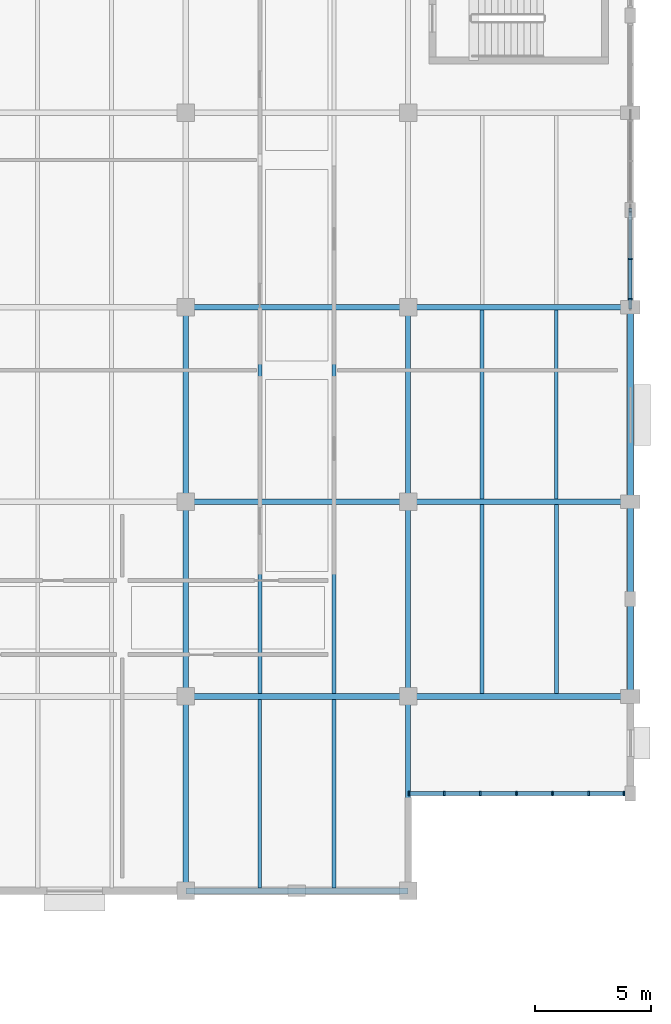
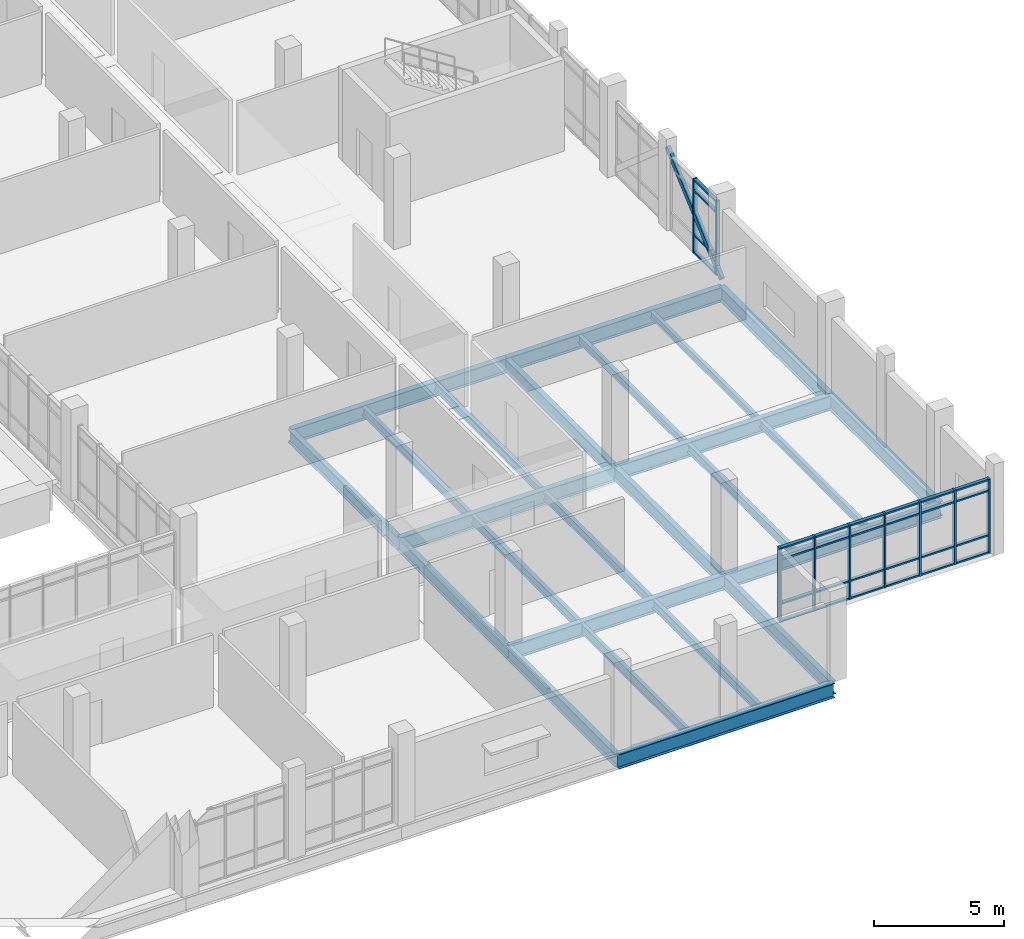
# One storey, part 29 of 86: 38 members, 25 beams, 2 elements without a shape of their own.
"""IFC4 building model written with IfcOpenShell, lengths in metres."""

import ifcopenshell
import ifcopenshell.guid

model = None  # the IFC model being written
_history = None  # IfcOwnerHistory: only IFC2X3 demands one
_inside = {}  # id of a spatial element -> (the spatial element, [elements in it])
_under = {}  # id of a project, library or spatial element -> (it, [spatial elements below it])
_declared = {}  # id of a project -> (the project, [libraries it declares])
_typed = {}  # id of a type object -> (the type object, [elements of that type])
_made_of = {}  # id of a material, layer set ... -> (it, [elements and type objects made of it])


def new_model(schema):
    """Start an empty IFC model of exactly this schema.

    Asked for "IFC4X3", IfcOpenShell would pick the latest addendum, in which some entities
    have other attributes; the version numbers below select the first issue.
    IFC2X3 requires an IfcOwnerHistory on every rooted entity: one is made here for all.
    """
    global model, _history
    if schema == "IFC4X3":
        model = ifcopenshell.file(schema_version=(4, 3, 0, 0))
    else:
        model = ifcopenshell.file(schema=schema)
    _inside.clear()
    _under.clear()
    _declared.clear()
    _typed.clear()
    _made_of.clear()
    _history = None
    if model.schema == "IFC2X3":
        org = make("IfcOrganization", Name="unknown")
        user = make(
            "IfcPersonAndOrganization",
            ThePerson=make("IfcPerson", FamilyName="unknown"),
            TheOrganization=org,
        )
        app = make(
            "IfcApplication",
            ApplicationDeveloper=org,
            Version="unknown",
            ApplicationFullName="unknown",
            ApplicationIdentifier="unknown",
        )
        _history = make(
            "IfcOwnerHistory",
            OwningUser=user,
            OwningApplication=app,
            ChangeAction="ADDED",
            CreationDate=0,
        )
    return model


def make(cls, **values):
    """One entity of the class cls with the attributes given. An attribute that is None is left unset."""
    return model.create_entity(
        cls, **{name: value for name, value in values.items() if value is not None}
    )


def rooted(cls, **values):
    """An entity with a GlobalId (a new one), such as an element, a storey or a relation."""
    return make(cls, GlobalId=ifcopenshell.guid.new(), OwnerHistory=_history, **values)


def si_unit(unit_type, name, prefix=None):
    """IfcSIUnit, for example si_unit("LENGTHUNIT", "METRE", prefix="MILLI")."""
    return make("IfcSIUnit", UnitType=unit_type, Prefix=prefix, Name=name)


def assignment(units):
    """IfcUnitAssignment: the units of a project."""
    return None if units is None else make("IfcUnitAssignment", Units=units)


def point(xyz):
    """IfcCartesianPoint."""
    return None if xyz is None else make("IfcCartesianPoint", Coordinates=xyz)


def direction(xyz):
    """IfcDirection."""
    return None if xyz is None else make("IfcDirection", DirectionRatios=xyz)


def frame(location, z_axis=None, x_axis=None):
    """IfcAxis2Placement3D, a coordinate frame: its origin and axes. An axis left out is left unset."""
    return make(
        "IfcAxis2Placement3D",
        Location=point(location),
        Axis=direction(z_axis),
        RefDirection=direction(x_axis),
    )


def frame_2d(location, x_axis=None):
    """IfcAxis2Placement2D, a coordinate frame in the plane: its origin and x axis."""
    return make(
        "IfcAxis2Placement2D", Location=point(location), RefDirection=direction(x_axis)
    )


def origin():
    """The frame at (0, 0, 0) with its axes left unset."""
    return frame((0.0, 0.0, 0.0))


def origin_2d():
    """The frame at (0, 0) in the plane with its x axis left unset."""
    return frame_2d((0.0, 0.0))


def place(relative_to, where):
    """IfcLocalPlacement: puts the frame where relative to a parent placement (None: the world)."""
    return make(
        "IfcLocalPlacement", PlacementRelTo=relative_to, RelativePlacement=where
    )


def context(
    kind, dimensions, precision=None, world=None, true_north=None, identifier=None
):
    """IfcGeometricRepresentationContext, for example the 3D "Model" context."""
    return make(
        "IfcGeometricRepresentationContext",
        ContextIdentifier=identifier,
        ContextType=kind,
        CoordinateSpaceDimension=dimensions,
        Precision=precision,
        WorldCoordinateSystem=world,
        TrueNorth=true_north,
    )


def subcontext(parent, identifier, kind, view, scale=None):
    """IfcGeometricRepresentationSubContext, for example "Body" below "Model"."""
    return make(
        "IfcGeometricRepresentationSubContext",
        ContextIdentifier=identifier,
        ContextType=kind,
        ParentContext=parent,
        TargetScale=scale,
        TargetView=view,
    )


def project(units=None, contexts=None):
    """IfcProject with its units and contexts."""
    return rooted(
        "IfcProject",
        Name="project",
        RepresentationContexts=contexts,
        UnitsInContext=assignment(units),
    )


def spatial(cls, under=None, at=None, **own):
    """A site, building, storey or space (cls), placed at a placement, below another one or the project."""
    s = rooted(cls, ObjectPlacement=at, **own)
    if under is not None:
        _under.setdefault(under.id(), (under, []))[1].append(s)
    return s


def profile(cls, at=None, kind="AREA", **sizes):
    """A parametric profile (cls). Its sizes go by their IFC names, for example OverallWidth=200.0."""
    return make(cls, ProfileType=kind, Position=at, **sizes)


def rectangle(**sizes):
    """IfcRectangleProfileDef."""
    return profile("IfcRectangleProfileDef", **sizes)


def hollow_rectangle(**sizes):
    """IfcRectangleHollowProfileDef."""
    return profile("IfcRectangleHollowProfileDef", **sizes)


def i_section(**sizes):
    """IfcIShapeProfileDef."""
    return profile("IfcIShapeProfileDef", **sizes)


def extrude(swept, where, along, depth):
    """IfcExtrudedAreaSolid: the profile swept, set in the frame where, extruded along a direction by depth."""
    return make(
        "IfcExtrudedAreaSolid",
        SweptArea=swept,
        Position=where,
        ExtrudedDirection=direction(along),
        Depth=depth,
    )


def shape(context_of_items, identifier, shape_type, items):
    """IfcShapeRepresentation: the items that make up one representation, for example the "Body"."""
    return make(
        "IfcShapeRepresentation",
        ContextOfItems=context_of_items,
        RepresentationIdentifier=identifier,
        RepresentationType=shape_type,
        Items=items,
    )


def material(Name=None, Category=None):
    """IfcMaterial."""
    return make("IfcMaterial", Name=Name, Category=Category)


def material_profile(
    of_material, cross_section, Name=None, Category=None, Priority=None
):
    """IfcMaterialProfile: a cross section and its material."""
    return make(
        "IfcMaterialProfile",
        Name=Name,
        Material=of_material,
        Profile=cross_section,
        Priority=Priority,
        Category=Category,
    )


def profile_set(profiles, Name=None, composite=None):
    """IfcMaterialProfileSet."""
    return make(
        "IfcMaterialProfileSet",
        Name=Name,
        MaterialProfiles=profiles,
        CompositeProfile=composite,
    )


def made_of(thing, what):
    """Note that an element or type object is made of a material, layer set ...; save() writes the relation."""
    if what is not None:
        _made_of.setdefault(what.id(), (what, []))[1].append(thing)
    return thing


def type_object(cls, material=None, **own):
    """A type object (cls), such as IfcWallType, which elements share."""
    return made_of(rooted(cls, **own), material)


def element(
    cls,
    number,
    at=None,
    inside=None,
    cuts=None,
    type_object=None,
    material=None,
    context=None,
    identifier="Body",
    shape_type=None,
    held_by="IfcProductDefinitionShape",
    body=None,
    shapes=None,
    **own,
):
    """One element of the class cls, such as IfcWall. Its Tag is "e" and its number.

    at: its placement. inside: the storey or other place that contains it. cuts: it is an
    opening in that element (IfcRelVoidsElement). A single representation is given by context,
    identifier, shape_type and body (its items); several are given by shapes. held_by: the class
    of the entity that holds the representations. save() writes the other relations.
    """
    e = rooted(cls, Tag="e%d" % number, ObjectPlacement=at, **own)
    if body is not None:
        shapes = [shape(context, identifier, shape_type, body)]
    if shapes is not None:
        e.Representation = make(held_by, Representations=shapes)
    if inside is not None:
        _inside.setdefault(inside.id(), (inside, []))[1].append(e)
    if cuts is not None:
        rooted(
            "IfcRelVoidsElement", RelatingBuildingElement=cuts, RelatedOpeningElement=e
        )
    if type_object is not None:
        _typed.setdefault(type_object.id(), (type_object, []))[1].append(e)
    return made_of(e, material)


def aggregate(whole, parts):
    """IfcRelAggregates: a whole, such as a stair, and the parts it consists of."""
    return rooted("IfcRelAggregates", RelatingObject=whole, RelatedObjects=parts)


def save(model, path):
    """Write the relations noted so far, then the file.

    IfcRelAggregates (storeys below a building ...), IfcRelContainedInSpatialStructure (elements
    in a storey), IfcRelDefinesByType, IfcRelAssociatesMaterial and IfcRelDeclares: one each for
    every whole, place, type object, material and project.
    """
    for whole, parts in _under.values():
        aggregate(whole, parts)
    for where, things in _inside.values():
        rooted(
            "IfcRelContainedInSpatialStructure",
            RelatedElements=things,
            RelatingStructure=where,
        )
    for kind, things in _typed.values():
        rooted("IfcRelDefinesByType", RelatedObjects=things, RelatingType=kind)
    for what, things in _made_of.values():
        rooted("IfcRelAssociatesMaterial", RelatedObjects=things, RelatingMaterial=what)
    for by, libraries in _declared.values():
        rooted("IfcRelDeclares", RelatingContext=by, RelatedDefinitions=libraries)
    model.write(path)


model = new_model("IFC4")

# Units and contexts
model_context = context("Model", 3, precision=1e-05, world=origin(), true_north=direction((0.0, 1.0)))
body_context = subcontext(model_context, "Body", "Model", "MODEL_VIEW")
ifc_project = project(units=[si_unit("LENGTHUNIT", "METRE"), si_unit("AREAUNIT", "SQUARE_METRE"), si_unit("VOLUMEUNIT", "CUBIC_METRE"), si_unit("PLANEANGLEUNIT", "RADIAN"), si_unit("MASSUNIT", "GRAM", prefix="KILO")], contexts=[model_context])

# Site, building, storey
site_placement = place(None, origin())
site = spatial("IfcSite", under=ifc_project, at=site_placement, CompositionType="ELEMENT")
building_placement = place(site_placement, origin())
building = spatial("IfcBuilding", under=site, at=building_placement, Name="Oolite Switchyard Hospital", CompositionType="ELEMENT")
storey_placement = place(building_placement, frame((0.0, 0.0, 13.5)))
storey = spatial("IfcBuildingStorey", under=building, at=storey_placement, Name="L03", CompositionType="ELEMENT", Elevation=13.5)

# Beams
ifc_material_1 = material(Name="Steel ASTM A992 Grade 50", Category="steel")
ifc_material_profile_1 = material_profile(ifc_material_1, i_section(OverallWidth=0.1650390625, OverallDepth=0.31005859375, WebThickness=0.006103515625, FlangeThickness=0.010009765625, at=origin_2d()), Name="W12X26")
ifc_profile_set_1 = profile_set([ifc_material_profile_1], Name="Steel ASTM A992 Grade 50")
beam_type_1 = type_object("IfcBeamType", Name="BM-W12X26", PredefinedType="JOIST", material=ifc_profile_set_1)
beam_1_placement = place(storey_placement, frame((208.0, 25.326904296875, -0.429931640625), z_axis=(0.0, 1.0, 0.0), x_axis=(-1.0, 0.0, 0.0)))
element("IfcBeam", 1, at=beam_1_placement, inside=storey, type_object=beam_type_1, Name="L03 Secondary Steel Joist 2741", PredefinedType="JOIST", context=body_context, shape_type="SweptSolid", body=[
    extrude(i_section(OverallWidth=0.1650390625, OverallDepth=0.31005859375, WebThickness=0.006103515625, FlangeThickness=0.010009765625, at=origin_2d()), origin(), (0.0, 0.0, 1.0), 8.14599609375),
])
ifc_material_profile_2 = material_profile(ifc_material_1, i_section(OverallWidth=0.1708984375, OverallDepth=0.35107421875, WebThickness=0.007080078125, FlangeThickness=0.010009765625, at=origin_2d()), Name="W14X30")
ifc_profile_set_2 = profile_set([ifc_material_profile_2], Name="Steel ASTM A992 Grade 50")
beam_type_2 = type_object("IfcBeamType", Name="BM-W14X30", PredefinedType="JOIST", material=ifc_profile_set_2)
for number, where, z_axis, x_axis, name in (
    (2, (198.39990234375, 25.326904296875, -0.449951171875), (0.0, 1.0, 0.0), (-1.0, 0.0, 0.0), "L03 Secondary Steel Joist 2721"),
    (3, (208.0, 16.927001953125, -0.449951171875), (0.0, 1.0, 0.0), (-1.0, 0.0, 0.0), "L03 Secondary Steel Joist 2739"),
    (4, (204.800048828125, 25.326904296875, -0.449951171875), (0.0, 1.0, 0.0), (-1.0, 0.0, 0.0), "L03 Secondary Steel Joist 2740"),
):
    element("IfcBeam", number, at=place(storey_placement, frame(where, z_axis=z_axis, x_axis=x_axis)), inside=storey, type_object=beam_type_2, Name=name, PredefinedType="JOIST", context=body_context, shape_type="SweptSolid", body=[
        extrude(i_section(OverallWidth=0.1708984375, OverallDepth=0.35107421875, WebThickness=0.007080078125, FlangeThickness=0.010009765625, at=origin_2d()), origin(), (0.0, 0.0, 1.0), 8.14599609375),
    ])
ifc_material_profile_3 = material_profile(ifc_material_1, i_section(OverallWidth=0.177978515625, OverallDepth=0.403076171875, WebThickness=0.008056640625, FlangeThickness=0.010986328125, at=origin_2d()), Name="W16X36")
ifc_profile_set_3 = profile_set([ifc_material_profile_3], Name="Steel ASTM A992 Grade 50")
beam_type_3 = type_object("IfcBeamType", Name="BM-W16X36", PredefinedType="JOIST", material=ifc_profile_set_3)
for number, where, z_axis, x_axis, name in (
    (5, (198.39990234375, 16.927001953125, -0.47607421875), (0.0, 1.0, 0.0), (-1.0, 0.0, 0.0), "L03 Secondary Steel Joist 2719"),
    (6, (195.199951171875, 25.326904296875, -0.47607421875), (0.0, 1.0, 0.0), (-1.0, 0.0, 0.0), "L03 Secondary Steel Joist 2720"),
    (7, (204.800048828125, 16.927001953125, -0.47607421875), (0.0, 1.0, 0.0), (-1.0, 0.0, 0.0), "L03 Secondary Steel Joist 2738"),
):
    element("IfcBeam", number, at=place(storey_placement, frame(where, z_axis=z_axis, x_axis=x_axis)), inside=storey, type_object=beam_type_3, Name=name, PredefinedType="JOIST", context=body_context, shape_type="SweptSolid", body=[
        extrude(i_section(OverallWidth=0.177978515625, OverallDepth=0.403076171875, WebThickness=0.008056640625, FlangeThickness=0.010986328125, at=origin_2d()), origin(), (0.0, 0.0, 1.0), 8.14599609375),
    ])
ifc_material_profile_4 = material_profile(ifc_material_1, i_section(OverallWidth=0.179931640625, OverallDepth=0.4130859375, WebThickness=0.010009765625, FlangeThickness=0.01611328125, at=origin_2d()), Name="W16X50")
ifc_profile_set_4 = profile_set([ifc_material_profile_4], Name="Steel ASTM A992 Grade 50")
beam_type_4 = type_object("IfcBeamType", Name="BM-W16X50", PredefinedType="JOIST", material=ifc_profile_set_4)
for number, where, z_axis, x_axis, name in (
    (8, (198.39990234375, 8.527099609375, -0.48193359375), (0.0, 1.0, 0.0), (-1.0, 0.0, 0.0), "L03 Secondary Steel Joist 2717"),
    (9, (195.199951171875, 16.927001953125, -0.48193359375), (0.0, 1.0, 0.0), (-1.0, 0.0, 0.0), "L03 Secondary Steel Joist 2718"),
):
    element("IfcBeam", number, at=place(storey_placement, frame(where, z_axis=z_axis, x_axis=x_axis)), inside=storey, type_object=beam_type_4, Name=name, PredefinedType="JOIST", context=body_context, shape_type="SweptSolid", body=[
        extrude(i_section(OverallWidth=0.179931640625, OverallDepth=0.4130859375, WebThickness=0.010009765625, FlangeThickness=0.01611328125, at=origin_2d()), origin(), (0.0, 0.0, 1.0), 8.14599609375),
    ])
ifc_material_profile_5 = material_profile(ifc_material_1, i_section(OverallWidth=0.153076171875, OverallDepth=0.455078125, WebThickness=0.008056640625, FlangeThickness=0.012939453125, at=origin_2d()), Name="W18X40")
ifc_profile_set_5 = profile_set([ifc_material_profile_5], Name="Steel ASTM A992 Grade 50")
beam_type_5 = type_object("IfcBeamType", Name="BM-W18X40", PredefinedType="JOIST", material=ifc_profile_set_5)
beam_2_placement = place(storey_placement, frame((195.199951171875, 8.527099609375, -0.501953125), z_axis=(0.0, 1.0, 0.0), x_axis=(-1.0, 0.0, 0.0)))
element("IfcBeam", 10, at=beam_2_placement, inside=storey, type_object=beam_type_5, Name="L03 Secondary Steel Joist 2716", PredefinedType="JOIST", context=body_context, shape_type="SweptSolid", body=[
    extrude(i_section(OverallWidth=0.153076171875, OverallDepth=0.455078125, WebThickness=0.008056640625, FlangeThickness=0.012939453125, at=origin_2d()), origin(), (0.0, 0.0, 1.0), 8.14599609375),
])
ifc_material_profile_6 = material_profile(ifc_material_1, i_section(OverallWidth=0.22900390625, OverallDepth=0.612060546875, WebThickness=0.011962890625, FlangeThickness=0.02001953125, at=origin_2d()), Name="W24X84")
ifc_profile_set_6 = profile_set([ifc_material_profile_6], Name="Steel ASTM A992 Grade 50")
beam_type_6 = type_object("IfcBeamType", Name="BM-W24X84", PredefinedType="BEAM", material=ifc_profile_set_6)
beam_3_placement = place(storey_placement, frame((192.0, 8.39990234375, -0.5810546875), z_axis=(0.0, 1.0, 0.0), x_axis=(-1.0, 0.0, 0.0)))
element("IfcBeam", 11, at=beam_3_placement, inside=storey, type_object=beam_type_6, Name="L03 Y-Girder 2360", PredefinedType="BEAM", context=body_context, shape_type="SweptSolid", body=[
    extrude(i_section(OverallWidth=0.22900390625, OverallDepth=0.612060546875, WebThickness=0.011962890625, FlangeThickness=0.02001953125, at=origin_2d()), origin(), (0.0, 0.0, 1.0), 8.400146484375),
])
beam_4_placement = place(storey_placement, frame((192.0, 16.800048828125, -0.5810546875), z_axis=(0.0, 1.0, 0.0), x_axis=(-1.0, 0.0, 0.0)))
element("IfcBeam", 12, at=beam_4_placement, inside=storey, type_object=beam_type_6, Name="L03 Y-Girder 2361", PredefinedType="BEAM", context=body_context, shape_type="SweptSolid", body=[
    extrude(i_section(OverallWidth=0.22900390625, OverallDepth=0.612060546875, WebThickness=0.011962890625, FlangeThickness=0.02001953125, at=origin_2d()), origin(), (0.0, 0.0, 1.0), 8.39990234375),
])
for number, where, z_axis, x_axis, name in (
    (13, (192.0, 25.199951171875, -0.5810546875), (0.0, 1.0, 0.0), (-1.0, 0.0, 0.0), "L03 Y-Girder 2362"),
    (14, (201.60009765625, 8.39990234375, -0.5810546875), (0.0, 1.0, 0.0), (-1.0, 0.0, 0.0), "L03 Y-Girder 2372"),
):
    element("IfcBeam", number, at=place(storey_placement, frame(where, z_axis=z_axis, x_axis=x_axis)), inside=storey, type_object=beam_type_6, Name=name, PredefinedType="BEAM", context=body_context, shape_type="SweptSolid", body=[
        extrude(i_section(OverallWidth=0.22900390625, OverallDepth=0.612060546875, WebThickness=0.011962890625, FlangeThickness=0.02001953125, at=origin_2d()), origin(), (0.0, 0.0, 1.0), 8.400146484375),
    ])
beam_5_placement = place(storey_placement, frame((201.60009765625, 16.800048828125, -0.5810546875), z_axis=(0.0, 1.0, 0.0), x_axis=(-1.0, 0.0, 0.0)))
element("IfcBeam", 15, at=beam_5_placement, inside=storey, type_object=beam_type_6, Name="L03 Y-Girder 2373", PredefinedType="BEAM", context=body_context, shape_type="SweptSolid", body=[
    extrude(i_section(OverallWidth=0.22900390625, OverallDepth=0.612060546875, WebThickness=0.011962890625, FlangeThickness=0.02001953125, at=origin_2d()), origin(), (0.0, 0.0, 1.0), 8.39990234375),
])
beam_6_placement = place(storey_placement, frame((201.60009765625, 25.199951171875, -0.5810546875), z_axis=(0.0, 1.0, 0.0), x_axis=(-1.0, 0.0, 0.0)))
element("IfcBeam", 16, at=beam_6_placement, inside=storey, type_object=beam_type_6, Name="L03 Y-Girder 2374", PredefinedType="BEAM", context=body_context, shape_type="SweptSolid", body=[
    extrude(i_section(OverallWidth=0.22900390625, OverallDepth=0.612060546875, WebThickness=0.011962890625, FlangeThickness=0.02001953125, at=origin_2d()), origin(), (0.0, 0.0, 1.0), 8.400146484375),
])
ifc_material_profile_7 = material_profile(ifc_material_1, i_section(OverallWidth=0.25390625, OverallDepth=0.68408203125, WebThickness=0.011962890625, FlangeThickness=0.01904296875, at=origin_2d()), Name="W27X94")
ifc_profile_set_7 = profile_set([ifc_material_profile_7], Name="Steel ASTM A992 Grade 50")
beam_type_7 = type_object("IfcBeamType", Name="BM-W27X94", PredefinedType="BEAM", material=ifc_profile_set_7)
for number, where, z_axis, x_axis, name in (
    (17, (192.0, 8.39990234375, -0.616943359375), (1.0, 0.0, 0.0), (0.0, 1.0, 0.0), "L03 X-Girder 1932"),
    (18, (192.0, 16.800048828125, -0.616943359375), (1.0, 0.0, 0.0), (0.0, 1.0, 0.0), "L03 X-Girder 1939"),
):
    element("IfcBeam", number, at=place(storey_placement, frame(where, z_axis=z_axis, x_axis=x_axis)), inside=storey, type_object=beam_type_7, Name=name, PredefinedType="BEAM", context=body_context, shape_type="SweptSolid", body=[
        extrude(i_section(OverallWidth=0.25390625, OverallDepth=0.68408203125, WebThickness=0.011962890625, FlangeThickness=0.01904296875, at=origin_2d()), origin(), (0.0, 0.0, 1.0), 9.60009765625),
    ])
beam_7_placement = place(storey_placement, frame((201.60009765625, 16.800048828125, -0.616943359375), z_axis=(1.0, 0.0, 0.0), x_axis=(0.0, 1.0, 0.0)))
element("IfcBeam", 19, at=beam_7_placement, inside=storey, type_object=beam_type_7, Name="L03 X-Girder 1940", PredefinedType="BEAM", context=body_context, shape_type="SweptSolid", body=[
    extrude(i_section(OverallWidth=0.25390625, OverallDepth=0.68408203125, WebThickness=0.011962890625, FlangeThickness=0.01904296875, at=origin_2d()), origin(), (0.0, 0.0, 1.0), 9.599853515625),
])
beam_8_placement = place(storey_placement, frame((192.0, 25.199951171875, -0.616943359375), z_axis=(1.0, 0.0, 0.0), x_axis=(0.0, 1.0, 0.0)))
element("IfcBeam", 20, at=beam_8_placement, inside=storey, type_object=beam_type_7, Name="L03 X-Girder 1947", PredefinedType="BEAM", context=body_context, shape_type="SweptSolid", body=[
    extrude(i_section(OverallWidth=0.25390625, OverallDepth=0.68408203125, WebThickness=0.011962890625, FlangeThickness=0.01904296875, at=origin_2d()), origin(), (0.0, 0.0, 1.0), 9.60009765625),
])
beam_9_placement = place(storey_placement, frame((201.60009765625, 25.199951171875, -0.616943359375), z_axis=(1.0, 0.0, 0.0), x_axis=(0.0, 1.0, 0.0)))
element("IfcBeam", 21, at=beam_9_placement, inside=storey, type_object=beam_type_7, Name="L03 X-Girder 1948", PredefinedType="BEAM", context=body_context, shape_type="SweptSolid", body=[
    extrude(i_section(OverallWidth=0.25390625, OverallDepth=0.68408203125, WebThickness=0.011962890625, FlangeThickness=0.01904296875, at=origin_2d()), origin(), (0.0, 0.0, 1.0), 9.599853515625),
])
beam_10_placement = place(storey_placement, frame((192.0, 33.60009765625, -0.616943359375), z_axis=(1.0, 0.0, 0.0), x_axis=(0.0, 1.0, 0.0)))
element("IfcBeam", 22, at=beam_10_placement, inside=storey, type_object=beam_type_7, Name="L03 X-Girder 1957", PredefinedType="BEAM", context=body_context, shape_type="SweptSolid", body=[
    extrude(i_section(OverallWidth=0.25390625, OverallDepth=0.68408203125, WebThickness=0.011962890625, FlangeThickness=0.01904296875, at=origin_2d()), origin(), (0.0, 0.0, 1.0), 9.60009765625),
])
beam_11_placement = place(storey_placement, frame((201.60009765625, 33.60009765625, -0.616943359375), z_axis=(1.0, 0.0, 0.0), x_axis=(0.0, 1.0, 0.0)))
element("IfcBeam", 23, at=beam_11_placement, inside=storey, type_object=beam_type_7, Name="L03 X-Girder 1958", PredefinedType="BEAM", context=body_context, shape_type="SweptSolid", body=[
    extrude(i_section(OverallWidth=0.25390625, OverallDepth=0.68408203125, WebThickness=0.011962890625, FlangeThickness=0.01904296875, at=origin_2d()), origin(), (0.0, 0.0, 1.0), 9.599853515625),
])
beam_12_placement = place(storey_placement, frame((211.199951171875, 16.800048828125, -0.616943359375), z_axis=(0.0, 1.0, 0.0), x_axis=(-1.0, 0.0, 0.0)))
element("IfcBeam", 24, at=beam_12_placement, inside=storey, type_object=beam_type_7, Name="L03 Y-Girder 2384", PredefinedType="BEAM", context=body_context, shape_type="SweptSolid", body=[
    extrude(i_section(OverallWidth=0.25390625, OverallDepth=0.68408203125, WebThickness=0.011962890625, FlangeThickness=0.01904296875, at=origin_2d()), origin(), (0.0, 0.0, 1.0), 8.39990234375),
])
beam_13_placement = place(storey_placement, frame((211.199951171875, 25.199951171875, -0.616943359375), z_axis=(0.0, 1.0, 0.0), x_axis=(-1.0, 0.0, 0.0)))
element("IfcBeam", 25, at=beam_13_placement, inside=storey, type_object=beam_type_7, Name="L03 Y-Girder 2385", PredefinedType="BEAM", context=body_context, shape_type="SweptSolid", body=[
    extrude(i_section(OverallWidth=0.25390625, OverallDepth=0.68408203125, WebThickness=0.011962890625, FlangeThickness=0.01904296875, at=origin_2d()), origin(), (0.0, 0.0, 1.0), 8.400146484375),
])

# Curtain wall, members
ifc_material_2 = material(Name="Thermally broken aluminum frame with laminated impact glazing", Category="aluminium")
curtain_wall_type_1 = type_object("IfcCurtainWallType", Name="CW-UNIT-84X43", PredefinedType="USERDEFINED", material=ifc_material_2)
curtain_wall_1_placement = place(storey_placement, origin())
curtain_wall_1 = element("IfcCurtainWall", 26, at=curtain_wall_1_placement, inside=storey, type_object=curtain_wall_type_1, Name="L03 Unitised Curtain Wall 355", ObjectType="UNITISED", PredefinedType="USERDEFINED")
ifc_material_3 = material(Name="Aluminium 6063-T6", Category="aluminium")
ifc_material_profile_8 = material_profile(ifc_material_3, rectangle(XDim=0.179931640625, YDim=0.070068359375, at=origin_2d()), Name="CWM70X180")
ifc_profile_set_8 = profile_set([ifc_material_profile_8], Name="Aluminium 6063-T6")
member_type_1 = type_object("IfcMemberType", Name="CW-MUL-220", PredefinedType="MULLION", material=ifc_profile_set_8)
member_1_placement = place(storey_placement, frame((211.199951171875, 35.6875, 0.0), z_axis=(0.0, 0.0, 1.0), x_axis=(1.0, 0.0, 0.0)))
member_1 = element("IfcMember", 27, at=member_1_placement, type_object=member_type_1, Name="CW-09 mullion 2", PredefinedType="MULLION", context=body_context, shape_type="SweptSolid", body=[
    extrude(rectangle(XDim=0.179931640625, YDim=0.070068359375, at=origin_2d()), origin(), (0.0, 0.0, 1.0), 3.489990234375),
])
member_2_placement = place(storey_placement, frame((211.199951171875, 33.949951171875, 0.0), z_axis=(0.0, 0.0, 1.0), x_axis=(1.0, 0.0, 0.0)))
member_2 = element("IfcMember", 28, at=member_2_placement, type_object=member_type_1, Name="CW-09 mullion 3", PredefinedType="MULLION", context=body_context, shape_type="SweptSolid", body=[
    extrude(rectangle(XDim=0.179931640625, YDim=0.070068359375, at=origin_2d()), origin(), (0.0, 0.0, 1.0), 3.489990234375),
])

curtain_wall_type_2 = type_object("IfcCurtainWallType", Name="CW-UNIT-96X43", PredefinedType="USERDEFINED", material=ifc_material_2)
curtain_wall_2_placement = place(storey_placement, origin())
curtain_wall_2 = element("IfcCurtainWall", 29, at=curtain_wall_2_placement, inside=storey, type_object=curtain_wall_type_2, Name="L03 Unitised Curtain Wall 329", ObjectType="UNITISED", PredefinedType="USERDEFINED")
ifc_material_profile_9 = material_profile(ifc_material_3, rectangle(XDim=0.199951171875, YDim=0.074951171875, at=origin_2d()), Name="CWM75X200")
ifc_profile_set_9 = profile_set([ifc_material_profile_9], Name="Aluminium 6063-T6")
member_type_2 = type_object("IfcMemberType", Name="CW-MUL-260", PredefinedType="MULLION", material=ifc_profile_set_9)
member_3_placement = place(storey_placement, frame((210.922607421875, 12.60009765625, 0.0), z_axis=(0.0, 0.0, 1.0), x_axis=(0.0, -1.0, 0.0)))
member_3 = element("IfcMember", 30, at=member_3_placement, type_object=member_type_2, Name="CW-04 mullion 1", PredefinedType="MULLION", context=body_context, shape_type="SweptSolid", body=[
    extrude(rectangle(XDim=0.199951171875, YDim=0.074951171875, at=origin_2d()), origin(), (0.0, 0.0, 1.0), 3.489990234375),
])
member_4_placement = place(storey_placement, frame((209.39990234375, 12.60009765625, 0.0), z_axis=(0.0, 0.0, 1.0), x_axis=(0.0, -1.0, 0.0)))
member_4 = element("IfcMember", 31, at=member_4_placement, type_object=member_type_2, Name="CW-04 mullion 2", PredefinedType="MULLION", context=body_context, shape_type="SweptSolid", body=[
    extrude(rectangle(XDim=0.199951171875, YDim=0.074951171875, at=origin_2d()), origin(), (0.0, 0.0, 1.0), 3.489990234375),
])
member_5_placement = place(storey_placement, frame((207.840087890625, 12.60009765625, 0.0), z_axis=(0.0, 0.0, 1.0), x_axis=(0.0, -1.0, 0.0)))
member_5 = element("IfcMember", 32, at=member_5_placement, type_object=member_type_2, Name="CW-04 mullion 3", PredefinedType="MULLION", context=body_context, shape_type="SweptSolid", body=[
    extrude(rectangle(XDim=0.199951171875, YDim=0.074951171875, at=origin_2d()), origin(), (0.0, 0.0, 1.0), 3.489990234375),
])
member_6_placement = place(storey_placement, frame((206.280029296875, 12.60009765625, 0.0), z_axis=(0.0, 0.0, 1.0), x_axis=(0.0, -1.0, 0.0)))
member_6 = element("IfcMember", 33, at=member_6_placement, type_object=member_type_2, Name="CW-04 mullion 4", PredefinedType="MULLION", context=body_context, shape_type="SweptSolid", body=[
    extrude(rectangle(XDim=0.199951171875, YDim=0.074951171875, at=origin_2d()), origin(), (0.0, 0.0, 1.0), 3.489990234375),
])
member_7_placement = place(storey_placement, frame((204.719970703125, 12.60009765625, 0.0), z_axis=(0.0, 0.0, 1.0), x_axis=(0.0, -1.0, 0.0)))
member_7 = element("IfcMember", 34, at=member_7_placement, type_object=member_type_2, Name="CW-04 mullion 5", PredefinedType="MULLION", context=body_context, shape_type="SweptSolid", body=[
    extrude(rectangle(XDim=0.199951171875, YDim=0.074951171875, at=origin_2d()), origin(), (0.0, 0.0, 1.0), 3.489990234375),
])
member_8_placement = place(storey_placement, frame((203.159912109375, 12.60009765625, 0.0), z_axis=(0.0, 0.0, 1.0), x_axis=(0.0, -1.0, 0.0)))
member_8 = element("IfcMember", 35, at=member_8_placement, type_object=member_type_2, Name="CW-04 mullion 6", PredefinedType="MULLION", context=body_context, shape_type="SweptSolid", body=[
    extrude(rectangle(XDim=0.199951171875, YDim=0.074951171875, at=origin_2d()), origin(), (0.0, 0.0, 1.0), 3.489990234375),
])
member_9_placement = place(storey_placement, frame((201.637451171875, 12.60009765625, 0.0), z_axis=(0.0, 0.0, 1.0), x_axis=(0.0, -1.0, 0.0)))
member_9 = element("IfcMember", 36, at=member_9_placement, type_object=member_type_2, Name="CW-04 mullion 7", PredefinedType="MULLION", context=body_context, shape_type="SweptSolid", body=[
    extrude(rectangle(XDim=0.199951171875, YDim=0.074951171875, at=origin_2d()), origin(), (0.0, 0.0, 1.0), 3.489990234375),
])
ifc_material_profile_10 = material_profile(ifc_material_3, rectangle(XDim=0.159912109375, YDim=0.074951171875, at=origin_2d()), Name="CWT75X160")
ifc_profile_set_10 = profile_set([ifc_material_profile_10], Name="Aluminium 6063-T6")
member_type_3 = type_object("IfcMemberType", Name="CW-TRN-180", PredefinedType="USERDEFINED", material=ifc_profile_set_10)
member_10_placement = place(storey_placement, frame((210.885009765625, 12.60009765625, 0.03759765625), z_axis=(-1.0, 0.0, 0.0), x_axis=(0.0, -1.0, 0.0)))
member_10 = element("IfcMember", 37, at=member_10_placement, type_object=member_type_3, Name="CW-04 transom 1.1", ObjectType="TRANSOM", PredefinedType="USERDEFINED", context=body_context, shape_type="SweptSolid", body=[
    extrude(rectangle(XDim=0.159912109375, YDim=0.074951171875, at=origin_2d()), origin(), (0.0, 0.0, 1.0), 1.447509765625),
])
member_11_placement = place(storey_placement, frame((210.885009765625, 12.60009765625, 0.85009765625), z_axis=(-1.0, 0.0, 0.0), x_axis=(0.0, -1.0, 0.0)))
member_11 = element("IfcMember", 38, at=member_11_placement, type_object=member_type_3, Name="CW-04 transom 1.2", ObjectType="TRANSOM", PredefinedType="USERDEFINED", context=body_context, shape_type="SweptSolid", body=[
    extrude(rectangle(XDim=0.159912109375, YDim=0.074951171875, at=origin_2d()), origin(), (0.0, 0.0, 1.0), 1.447509765625),
])
member_12_placement = place(storey_placement, frame((210.885009765625, 12.60009765625, 2.93994140625), z_axis=(-1.0, 0.0, 0.0), x_axis=(0.0, -1.0, 0.0)))
member_12 = element("IfcMember", 39, at=member_12_placement, type_object=member_type_3, Name="CW-04 transom 1.3", ObjectType="TRANSOM", PredefinedType="USERDEFINED", context=body_context, shape_type="SweptSolid", body=[
    extrude(rectangle(XDim=0.159912109375, YDim=0.074951171875, at=origin_2d()), origin(), (0.0, 0.0, 1.0), 1.447509765625),
])
member_13_placement = place(storey_placement, frame((210.885009765625, 12.60009765625, 3.452392578125), z_axis=(-1.0, 0.0, 0.0), x_axis=(0.0, -1.0, 0.0)))
member_13 = element("IfcMember", 40, at=member_13_placement, type_object=member_type_3, Name="CW-04 transom 1.4", ObjectType="TRANSOM", PredefinedType="USERDEFINED", context=body_context, shape_type="SweptSolid", body=[
    extrude(rectangle(XDim=0.159912109375, YDim=0.074951171875, at=origin_2d()), origin(), (0.0, 0.0, 1.0), 1.447509765625),
])
member_14_placement = place(storey_placement, frame((209.362548828125, 12.60009765625, 0.03759765625), z_axis=(-1.0, 0.0, 0.0), x_axis=(0.0, -1.0, 0.0)))
member_14 = element("IfcMember", 41, at=member_14_placement, type_object=member_type_3, Name="CW-04 transom 2.1", ObjectType="TRANSOM", PredefinedType="USERDEFINED", context=body_context, shape_type="SweptSolid", body=[
    extrude(rectangle(XDim=0.159912109375, YDim=0.074951171875, at=origin_2d()), origin(), (0.0, 0.0, 1.0), 1.485107421875),
])
member_15_placement = place(storey_placement, frame((209.362548828125, 12.60009765625, 0.85009765625), z_axis=(-1.0, 0.0, 0.0), x_axis=(0.0, -1.0, 0.0)))
member_15 = element("IfcMember", 42, at=member_15_placement, type_object=member_type_3, Name="CW-04 transom 2.2", ObjectType="TRANSOM", PredefinedType="USERDEFINED", context=body_context, shape_type="SweptSolid", body=[
    extrude(rectangle(XDim=0.159912109375, YDim=0.074951171875, at=origin_2d()), origin(), (0.0, 0.0, 1.0), 1.485107421875),
])
member_16_placement = place(storey_placement, frame((209.362548828125, 12.60009765625, 2.93994140625), z_axis=(-1.0, 0.0, 0.0), x_axis=(0.0, -1.0, 0.0)))
member_16 = element("IfcMember", 43, at=member_16_placement, type_object=member_type_3, Name="CW-04 transom 2.3", ObjectType="TRANSOM", PredefinedType="USERDEFINED", context=body_context, shape_type="SweptSolid", body=[
    extrude(rectangle(XDim=0.159912109375, YDim=0.074951171875, at=origin_2d()), origin(), (0.0, 0.0, 1.0), 1.485107421875),
])
member_17_placement = place(storey_placement, frame((209.362548828125, 12.60009765625, 3.452392578125), z_axis=(-1.0, 0.0, 0.0), x_axis=(0.0, -1.0, 0.0)))
member_17 = element("IfcMember", 44, at=member_17_placement, type_object=member_type_3, Name="CW-04 transom 2.4", ObjectType="TRANSOM", PredefinedType="USERDEFINED", context=body_context, shape_type="SweptSolid", body=[
    extrude(rectangle(XDim=0.159912109375, YDim=0.074951171875, at=origin_2d()), origin(), (0.0, 0.0, 1.0), 1.485107421875),
])
member_18_placement = place(storey_placement, frame((207.802490234375, 12.60009765625, 0.03759765625), z_axis=(-1.0, 0.0, 0.0), x_axis=(0.0, -1.0, 0.0)))
member_18 = element("IfcMember", 45, at=member_18_placement, type_object=member_type_3, Name="CW-04 transom 3.1", ObjectType="TRANSOM", PredefinedType="USERDEFINED", context=body_context, shape_type="SweptSolid", body=[
    extrude(rectangle(XDim=0.159912109375, YDim=0.074951171875, at=origin_2d()), origin(), (0.0, 0.0, 1.0), 1.485107421875),
])
member_19_placement = place(storey_placement, frame((207.802490234375, 12.60009765625, 0.85009765625), z_axis=(-1.0, 0.0, 0.0), x_axis=(0.0, -1.0, 0.0)))
member_19 = element("IfcMember", 46, at=member_19_placement, type_object=member_type_3, Name="CW-04 transom 3.2", ObjectType="TRANSOM", PredefinedType="USERDEFINED", context=body_context, shape_type="SweptSolid", body=[
    extrude(rectangle(XDim=0.159912109375, YDim=0.074951171875, at=origin_2d()), origin(), (0.0, 0.0, 1.0), 1.485107421875),
])
member_20_placement = place(storey_placement, frame((207.802490234375, 12.60009765625, 2.93994140625), z_axis=(-1.0, 0.0, 0.0), x_axis=(0.0, -1.0, 0.0)))
member_20 = element("IfcMember", 47, at=member_20_placement, type_object=member_type_3, Name="CW-04 transom 3.3", ObjectType="TRANSOM", PredefinedType="USERDEFINED", context=body_context, shape_type="SweptSolid", body=[
    extrude(rectangle(XDim=0.159912109375, YDim=0.074951171875, at=origin_2d()), origin(), (0.0, 0.0, 1.0), 1.485107421875),
])
member_21_placement = place(storey_placement, frame((207.802490234375, 12.60009765625, 3.452392578125), z_axis=(-1.0, 0.0, 0.0), x_axis=(0.0, -1.0, 0.0)))
member_21 = element("IfcMember", 48, at=member_21_placement, type_object=member_type_3, Name="CW-04 transom 3.4", ObjectType="TRANSOM", PredefinedType="USERDEFINED", context=body_context, shape_type="SweptSolid", body=[
    extrude(rectangle(XDim=0.159912109375, YDim=0.074951171875, at=origin_2d()), origin(), (0.0, 0.0, 1.0), 1.485107421875),
])
member_22_placement = place(storey_placement, frame((206.242431640625, 12.60009765625, 0.03759765625), z_axis=(-1.0, 0.0, 0.0), x_axis=(0.0, -1.0, 0.0)))
member_22 = element("IfcMember", 49, at=member_22_placement, type_object=member_type_3, Name="CW-04 transom 4.1", ObjectType="TRANSOM", PredefinedType="USERDEFINED", context=body_context, shape_type="SweptSolid", body=[
    extrude(rectangle(XDim=0.159912109375, YDim=0.074951171875, at=origin_2d()), origin(), (0.0, 0.0, 1.0), 1.48486328125),
])
member_23_placement = place(storey_placement, frame((206.242431640625, 12.60009765625, 0.85009765625), z_axis=(-1.0, 0.0, 0.0), x_axis=(0.0, -1.0, 0.0)))
member_23 = element("IfcMember", 50, at=member_23_placement, type_object=member_type_3, Name="CW-04 transom 4.2", ObjectType="TRANSOM", PredefinedType="USERDEFINED", context=body_context, shape_type="SweptSolid", body=[
    extrude(rectangle(XDim=0.159912109375, YDim=0.074951171875, at=origin_2d()), origin(), (0.0, 0.0, 1.0), 1.48486328125),
])
member_24_placement = place(storey_placement, frame((206.242431640625, 12.60009765625, 2.93994140625), z_axis=(-1.0, 0.0, 0.0), x_axis=(0.0, -1.0, 0.0)))
member_24 = element("IfcMember", 51, at=member_24_placement, type_object=member_type_3, Name="CW-04 transom 4.3", ObjectType="TRANSOM", PredefinedType="USERDEFINED", context=body_context, shape_type="SweptSolid", body=[
    extrude(rectangle(XDim=0.159912109375, YDim=0.074951171875, at=origin_2d()), origin(), (0.0, 0.0, 1.0), 1.48486328125),
])
member_25_placement = place(storey_placement, frame((206.242431640625, 12.60009765625, 3.452392578125), z_axis=(-1.0, 0.0, 0.0), x_axis=(0.0, -1.0, 0.0)))
member_25 = element("IfcMember", 52, at=member_25_placement, type_object=member_type_3, Name="CW-04 transom 4.4", ObjectType="TRANSOM", PredefinedType="USERDEFINED", context=body_context, shape_type="SweptSolid", body=[
    extrude(rectangle(XDim=0.159912109375, YDim=0.074951171875, at=origin_2d()), origin(), (0.0, 0.0, 1.0), 1.48486328125),
])
member_26_placement = place(storey_placement, frame((204.6826171875, 12.60009765625, 0.03759765625), z_axis=(-1.0, 0.0, 0.0), x_axis=(0.0, -1.0, 0.0)))
member_26 = element("IfcMember", 53, at=member_26_placement, type_object=member_type_3, Name="CW-04 transom 5.1", ObjectType="TRANSOM", PredefinedType="USERDEFINED", context=body_context, shape_type="SweptSolid", body=[
    extrude(rectangle(XDim=0.159912109375, YDim=0.074951171875, at=origin_2d()), origin(), (0.0, 0.0, 1.0), 1.485107421875),
])
member_27_placement = place(storey_placement, frame((204.6826171875, 12.60009765625, 0.85009765625), z_axis=(-1.0, 0.0, 0.0), x_axis=(0.0, -1.0, 0.0)))
member_27 = element("IfcMember", 54, at=member_27_placement, type_object=member_type_3, Name="CW-04 transom 5.2", ObjectType="TRANSOM", PredefinedType="USERDEFINED", context=body_context, shape_type="SweptSolid", body=[
    extrude(rectangle(XDim=0.159912109375, YDim=0.074951171875, at=origin_2d()), origin(), (0.0, 0.0, 1.0), 1.485107421875),
])
member_28_placement = place(storey_placement, frame((204.6826171875, 12.60009765625, 2.93994140625), z_axis=(-1.0, 0.0, 0.0), x_axis=(0.0, -1.0, 0.0)))
member_28 = element("IfcMember", 55, at=member_28_placement, type_object=member_type_3, Name="CW-04 transom 5.3", ObjectType="TRANSOM", PredefinedType="USERDEFINED", context=body_context, shape_type="SweptSolid", body=[
    extrude(rectangle(XDim=0.159912109375, YDim=0.074951171875, at=origin_2d()), origin(), (0.0, 0.0, 1.0), 1.485107421875),
])
member_29_placement = place(storey_placement, frame((204.6826171875, 12.60009765625, 3.452392578125), z_axis=(-1.0, 0.0, 0.0), x_axis=(0.0, -1.0, 0.0)))
member_29 = element("IfcMember", 56, at=member_29_placement, type_object=member_type_3, Name="CW-04 transom 5.4", ObjectType="TRANSOM", PredefinedType="USERDEFINED", context=body_context, shape_type="SweptSolid", body=[
    extrude(rectangle(XDim=0.159912109375, YDim=0.074951171875, at=origin_2d()), origin(), (0.0, 0.0, 1.0), 1.485107421875),
])
member_30_placement = place(storey_placement, frame((203.12255859375, 12.60009765625, 0.03759765625), z_axis=(-1.0, 0.0, 0.0), x_axis=(0.0, -1.0, 0.0)))
member_30 = element("IfcMember", 57, at=member_30_placement, type_object=member_type_3, Name="CW-04 transom 6.1", ObjectType="TRANSOM", PredefinedType="USERDEFINED", context=body_context, shape_type="SweptSolid", body=[
    extrude(rectangle(XDim=0.159912109375, YDim=0.074951171875, at=origin_2d()), origin(), (0.0, 0.0, 1.0), 1.447509765625),
])
member_31_placement = place(storey_placement, frame((203.12255859375, 12.60009765625, 0.85009765625), z_axis=(-1.0, 0.0, 0.0), x_axis=(0.0, -1.0, 0.0)))
member_31 = element("IfcMember", 58, at=member_31_placement, type_object=member_type_3, Name="CW-04 transom 6.2", ObjectType="TRANSOM", PredefinedType="USERDEFINED", context=body_context, shape_type="SweptSolid", body=[
    extrude(rectangle(XDim=0.159912109375, YDim=0.074951171875, at=origin_2d()), origin(), (0.0, 0.0, 1.0), 1.447509765625),
])
member_32_placement = place(storey_placement, frame((203.12255859375, 12.60009765625, 2.93994140625), z_axis=(-1.0, 0.0, 0.0), x_axis=(0.0, -1.0, 0.0)))
member_32 = element("IfcMember", 59, at=member_32_placement, type_object=member_type_3, Name="CW-04 transom 6.3", ObjectType="TRANSOM", PredefinedType="USERDEFINED", context=body_context, shape_type="SweptSolid", body=[
    extrude(rectangle(XDim=0.159912109375, YDim=0.074951171875, at=origin_2d()), origin(), (0.0, 0.0, 1.0), 1.447509765625),
])
member_33_placement = place(storey_placement, frame((203.12255859375, 12.60009765625, 3.452392578125), z_axis=(-1.0, 0.0, 0.0), x_axis=(0.0, -1.0, 0.0)))
member_33 = element("IfcMember", 60, at=member_33_placement, type_object=member_type_3, Name="CW-04 transom 6.4", ObjectType="TRANSOM", PredefinedType="USERDEFINED", context=body_context, shape_type="SweptSolid", body=[
    extrude(rectangle(XDim=0.159912109375, YDim=0.074951171875, at=origin_2d()), origin(), (0.0, 0.0, 1.0), 1.447509765625),
])
aggregate(curtain_wall_2, [member_3, member_4, member_5, member_6, member_7, member_8, member_9, member_10, member_11, member_12, member_13, member_14, member_15, member_16, member_17, member_18, member_19, member_20, member_21, member_22, member_23, member_24, member_25, member_26, member_27, member_28, member_29, member_30, member_31, member_32, member_33])

# Member
member_34_placement = place(storey_placement, frame((211.199951171875, 35.652587890625, 0.03759765625), z_axis=(0.0, -1.0, 0.0), x_axis=(1.0, 0.0, 0.0)))
member_34 = element("IfcMember", 61, at=member_34_placement, type_object=member_type_3, Name="CW-09 transom 2.1", ObjectType="TRANSOM", PredefinedType="USERDEFINED", context=body_context, shape_type="SweptSolid", body=[
    extrude(rectangle(XDim=0.159912109375, YDim=0.074951171875, at=origin_2d()), origin(), (0.0, 0.0, 1.0), 1.66748046875),
])

member_35_placement = place(storey_placement, frame((211.199951171875, 35.652587890625, 0.85009765625), z_axis=(0.0, -1.0, 0.0), x_axis=(1.0, 0.0, 0.0)))
member_35 = element("IfcMember", 62, at=member_35_placement, type_object=member_type_3, Name="CW-09 transom 2.2", ObjectType="TRANSOM", PredefinedType="USERDEFINED", context=body_context, shape_type="SweptSolid", body=[
    extrude(rectangle(XDim=0.159912109375, YDim=0.074951171875, at=origin_2d()), origin(), (0.0, 0.0, 1.0), 1.66748046875),
])

member_36_placement = place(storey_placement, frame((211.199951171875, 35.652587890625, 2.93994140625), z_axis=(0.0, -1.0, 0.0), x_axis=(1.0, 0.0, 0.0)))
member_36 = element("IfcMember", 63, at=member_36_placement, type_object=member_type_3, Name="CW-09 transom 2.3", ObjectType="TRANSOM", PredefinedType="USERDEFINED", context=body_context, shape_type="SweptSolid", body=[
    extrude(rectangle(XDim=0.159912109375, YDim=0.074951171875, at=origin_2d()), origin(), (0.0, 0.0, 1.0), 1.66748046875),
])

member_37_placement = place(storey_placement, frame((211.199951171875, 35.652587890625, 3.452392578125), z_axis=(0.0, -1.0, 0.0), x_axis=(1.0, 0.0, 0.0)))
member_37 = element("IfcMember", 64, at=member_37_placement, type_object=member_type_3, Name="CW-09 transom 2.4", ObjectType="TRANSOM", PredefinedType="USERDEFINED", context=body_context, shape_type="SweptSolid", body=[
    extrude(rectangle(XDim=0.159912109375, YDim=0.074951171875, at=origin_2d()), origin(), (0.0, 0.0, 1.0), 1.66748046875),
])

aggregate(curtain_wall_1, [member_1, member_2, member_34, member_35, member_36, member_37])

ifc_material_4 = material(Name="Steel ASTM A500 Grade C", Category="steel")
ifc_material_profile_11 = material_profile(ifc_material_4, hollow_rectangle(XDim=0.152099609375, YDim=0.25390625, WallThickness=0.012939453125, at=origin_2d()), Name="HSS254X152X13")
ifc_profile_set_11 = profile_set([ifc_material_profile_11], Name="Steel ASTM A500 Grade C")
member_type_4 = type_object("IfcMemberType", Name="MEM-BR-RHS254", PredefinedType="BRACE", material=ifc_profile_set_11)
member_38_placement = place(storey_placement, frame((211.199951171875, 33.60009765625, 0.02001953125), z_axis=(0.0, 0.752135057976, 0.659008994296), x_axis=(-1.0, 0.0, 0.0)))
element("IfcMember", 65, at=member_38_placement, inside=storey, type_object=member_type_4, Name="L03 Chevron Brace 77", PredefinedType="BRACE", context=body_context, shape_type="SweptSolid", body=[
    extrude(hollow_rectangle(XDim=0.152099609375, YDim=0.25390625, WallThickness=0.012939453125, at=origin_2d()), origin(), (0.0, 0.0, 1.0), 5.583984375),
])

save(model, "model.ifc")
